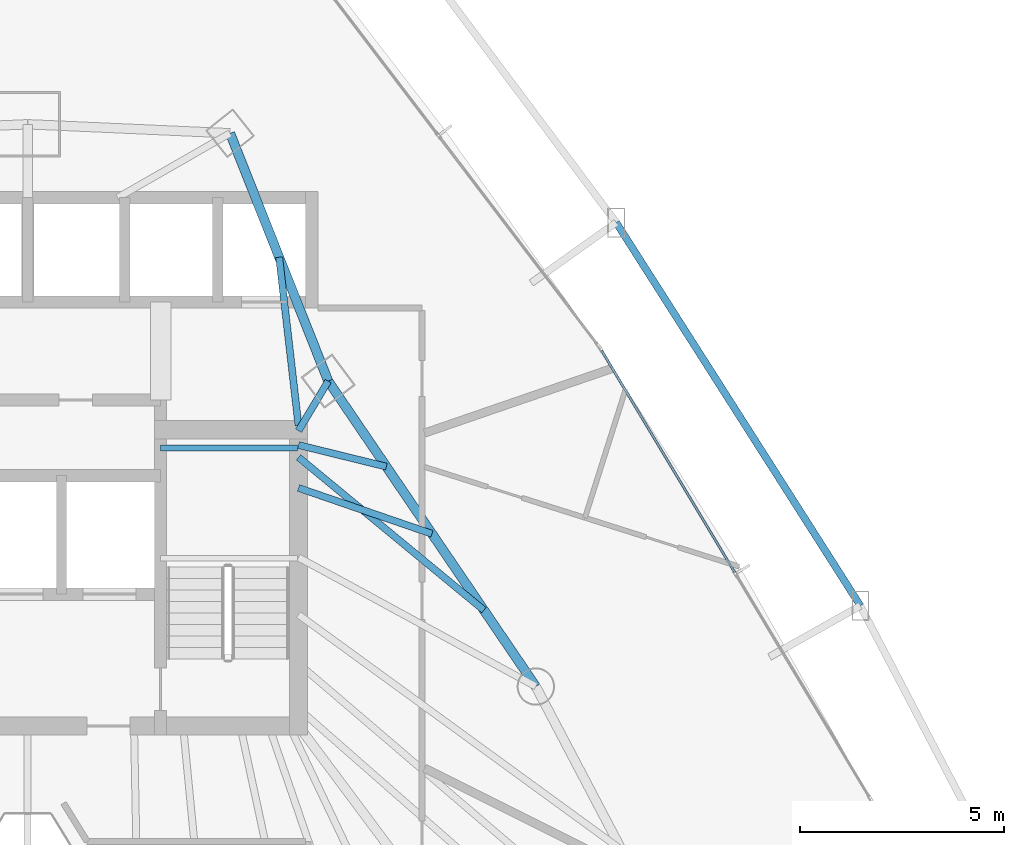
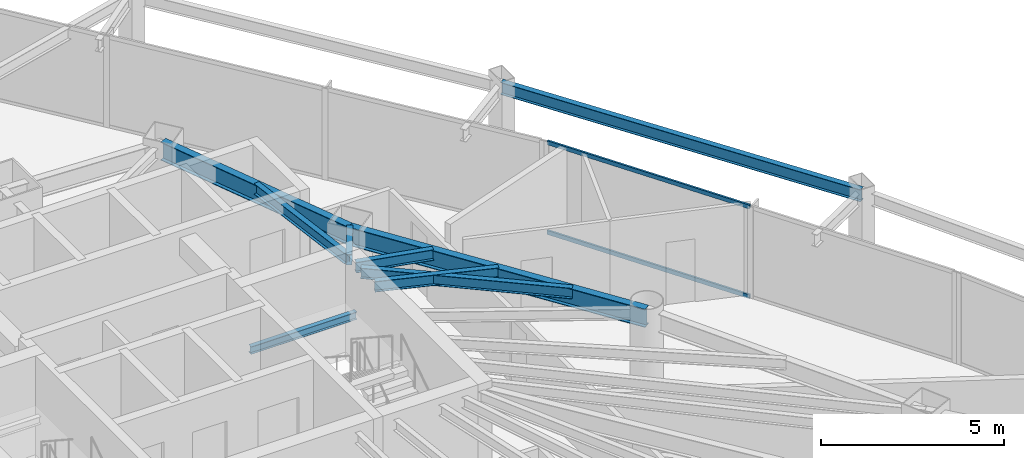
# One storey, part 26 of 35: 9 beams, 2 members, 1 element without a shape of its own.
"""IFC4 building model written with IfcOpenShell, lengths in metres."""

from ifc_helpers import new_model, si_unit, direction, frame, origin, origin_2d, place, context, subcontext, project, spatial, hollow_rectangle, i_section, extrude, material, layer, layer_set, material_profile, profile_set, type_object, element, aggregate, save


model = new_model("IFC4")

# Units and contexts
model_context = context("Model", 3, precision=1e-05, world=origin(), true_north=direction((0.0, 1.0)))
body_context = subcontext(model_context, "Body", "Model", "MODEL_VIEW")
ifc_project = project(units=[si_unit("LENGTHUNIT", "METRE"), si_unit("AREAUNIT", "SQUARE_METRE"), si_unit("VOLUMEUNIT", "CUBIC_METRE"), si_unit("PLANEANGLEUNIT", "RADIAN"), si_unit("MASSUNIT", "GRAM", prefix="KILO")], contexts=[model_context])

# Site, building, storey
site_placement = place(None, origin())
site = spatial("IfcSite", under=ifc_project, at=site_placement, CompositionType="ELEMENT")
building_placement = place(site_placement, origin())
building = spatial("IfcBuilding", under=site, at=building_placement, Name="Orvanel Arch Residences", CompositionType="ELEMENT")
storey_placement = place(building_placement, frame((0.0, 0.0, 33.5)))
storey = spatial("IfcBuildingStorey", under=building, at=storey_placement, Name="L08", CompositionType="ELEMENT", Elevation=33.5)

# Beams
ifc_material_1 = material(Name="Structural steel AS/NZS 3679.1 Grade 300 (300 MPa)", Category="steel")
ifc_material_profile_1 = material_profile(ifc_material_1, i_section(OverallWidth=0.14599609375, OverallDepth=0.251953125, WebThickness=0.006103515625, FlangeThickness=0.008544921875, at=origin_2d()), Name="250UB31.4")
ifc_profile_set_1 = profile_set([ifc_material_profile_1], Name="Structural steel AS/NZS 3679.1 Grade 300 (300 MPa)")
beam_type_1 = type_object("IfcBeamType", Name="BJ-250UB", PredefinedType="JOIST", material=ifc_profile_set_1)
beam_1_placement = place(storey_placement, frame((36.25, 33.47998046875, 1.323974609375), z_axis=(1.0, 0.0, 0.0), x_axis=(0.0, 1.0, 0.0)))
element("IfcBeam", 1, at=beam_1_placement, inside=storey, type_object=beam_type_1, Name="L08 ST-2 Half-Landing Support Beam 1.2", PredefinedType="JOIST", context=body_context, shape_type="SweptSolid", body=[
    extrude(i_section(OverallWidth=0.14599609375, OverallDepth=0.251953125, WebThickness=0.006103515625, FlangeThickness=0.008544921875, at=origin_2d()), origin(), (0.0, 0.0, 1.0), 3.35009765625),
])
ifc_material_profile_2 = material_profile(ifc_material_1, i_section(OverallWidth=0.1708984375, OverallDepth=0.35595703125, WebThickness=0.00732421875, FlangeThickness=0.011474609375, at=origin_2d()), Name="360UB50.7")
ifc_profile_set_2 = profile_set([ifc_material_profile_2], Name="Structural steel AS/NZS 3679.1 Grade 300 (300 MPa)")
beam_type_2 = type_object("IfcBeamType", Name="BJ-360UB", PredefinedType="JOIST", material=ifc_profile_set_2)
beam_2_placement = place(storey_placement, frame((39.625, 33.89990234375, 2.882080078125), z_axis=(0.514064138778, 0.857751748015, 0.0), x_axis=(-0.857751748015, 0.514064138778, 0.0)))
element("IfcBeam", 2, at=beam_2_placement, inside=storey, type_object=beam_type_2, Name="L08 NNE Wing Floor Joist", PredefinedType="JOIST", context=body_context, shape_type="SweptSolid", body=[
    extrude(i_section(OverallWidth=0.1708984375, OverallDepth=0.35595703125, WebThickness=0.00732421875, FlangeThickness=0.011474609375, at=origin_2d()), origin(), (0.0, 0.0, 1.0), 1.414306640625),
])
beam_3_placement = place(storey_placement, frame((39.625, 34.02001953125, 2.882080078125), z_axis=(-0.114186670431, 0.993459311847, 0.0), x_axis=(-0.993459311847, -0.114186670431, 0.0)))
element("IfcBeam", 3, at=beam_3_placement, inside=storey, type_object=beam_type_2, Name="L08 NNE2 Wing Floor Joist", PredefinedType="JOIST", context=body_context, shape_type="SweptSolid", body=[
    extrude(i_section(OverallWidth=0.1708984375, OverallDepth=0.35595703125, WebThickness=0.00732421875, FlangeThickness=0.011474609375, at=origin_2d()), origin(), (0.0, 0.0, 1.0), 4.152099609375),
])
beam_4_placement = place(storey_placement, frame((39.625, 32.5, 2.882080078125), z_axis=(0.945658073701, -0.325162740247, 0.0), x_axis=(0.325162740247, 0.945658073701, 0.0)))
element("IfcBeam", 4, at=beam_4_placement, inside=storey, type_object=beam_type_2, Name="L08 ENE Wing Floor Joist", PredefinedType="JOIST", context=body_context, shape_type="SweptSolid", body=[
    extrude(i_section(OverallWidth=0.1708984375, OverallDepth=0.35595703125, WebThickness=0.00732421875, FlangeThickness=0.011474609375, at=origin_2d()), origin(), (0.0, 0.0, 1.0), 3.453857421875),
])
beam_5_placement = place(storey_placement, frame((39.625, 33.25, 2.882080078125), z_axis=(0.771468562814, -0.636267441089, 0.0), x_axis=(0.636267441089, 0.771468562814, 0.0)))
element("IfcBeam", 5, at=beam_5_placement, inside=storey, type_object=beam_type_2, Name="L08 LE Wing Floor Joist", PredefinedType="JOIST", context=body_context, shape_type="SweptSolid", body=[
    extrude(i_section(OverallWidth=0.1708984375, OverallDepth=0.35595703125, WebThickness=0.00732421875, FlangeThickness=0.011474609375, at=origin_2d()), origin(), (0.0, 0.0, 1.0), 5.879638671875),
])
beam_6_placement = place(storey_placement, frame((39.625, 33.550048828125, 2.882080078125), z_axis=(0.971005818547, -0.239055851942, 0.0), x_axis=(0.239055851942, 0.971005818547, 0.0)))
element("IfcBeam", 6, at=beam_6_placement, inside=storey, type_object=beam_type_2, Name="L08 JADD4 Wing Floor Joist", PredefinedType="JOIST", context=body_context, shape_type="SweptSolid", body=[
    extrude(i_section(OverallWidth=0.1708984375, OverallDepth=0.35595703125, WebThickness=0.00732421875, FlangeThickness=0.011474609375, at=origin_2d()), origin(), (0.0, 0.0, 1.0), 2.213134765625),
])
ifc_material_profile_3 = material_profile(ifc_material_1, i_section(OverallWidth=0.177978515625, OverallDepth=0.406005859375, WebThickness=0.0078125, FlangeThickness=0.0126953125, at=origin_2d()), Name="410UB59.7")
ifc_profile_set_3 = profile_set([ifc_material_profile_3], Name="Structural steel AS/NZS 3679.1 Grade 300 (300 MPa)")
beam_type_3 = type_object("IfcBeamType", Name="OB-410UB-EXT", PredefinedType="SPANDREL", material=ifc_profile_set_3)
beam_7_placement = place(storey_placement, frame((53.37109375, 29.616943359375, 2.85693359375), z_axis=(-0.537298885152, 0.843391906538, 0.0), x_axis=(-0.843391906538, -0.537298885152, 0.0)))
element("IfcBeam", 7, at=beam_7_placement, inside=storey, type_object=beam_type_3, Name="L08 Outer Perimeter Floor Ring Beam 10", PredefinedType="SPANDREL", context=body_context, shape_type="SweptSolid", body=[
    extrude(i_section(OverallWidth=0.177978515625, OverallDepth=0.406005859375, WebThickness=0.0078125, FlangeThickness=0.0126953125, at=origin_2d()), origin(), (0.0, 0.0, 1.0), 11.116943359375),
])
ifc_material_profile_4 = material_profile(ifc_material_1, i_section(OverallWidth=0.22900390625, OverallDepth=0.612060546875, WebThickness=0.011962890625, FlangeThickness=0.01953125, at=origin_2d()), Name="610UB125")
ifc_profile_set_4 = profile_set([ifc_material_profile_4], Name="Structural steel AS/NZS 3679.1 Grade 300 (300 MPa)")
beam_type_4 = type_object("IfcBeamType", Name="SP-610UB", PredefinedType="SPANDREL", material=ifc_profile_set_4)
beam_8_placement = place(storey_placement, frame((45.430908203125, 27.64111328125, 2.75390625), z_axis=(-0.562154793153, 0.827032035978, 0.0), x_axis=(-0.827032035978, -0.562154793153, 0.0)))
element("IfcBeam", 8, at=beam_8_placement, inside=storey, type_object=beam_type_4, Name="L08 Perimeter Spandrel Beam 14", PredefinedType="SPANDREL", context=body_context, shape_type="SweptSolid", body=[
    extrude(i_section(OverallWidth=0.22900390625, OverallDepth=0.612060546875, WebThickness=0.011962890625, FlangeThickness=0.01953125, at=origin_2d()), origin(), (0.0, 0.0, 1.0), 9.03466796875),
])
beam_9_placement = place(storey_placement, frame((40.35205078125, 35.113037109375, 2.75390625), z_axis=(-0.368233143579, 0.929733484376, 0.0), x_axis=(-0.929733484376, -0.368233143579, 0.0)))
element("IfcBeam", 9, at=beam_9_placement, inside=storey, type_object=beam_type_4, Name="L08 Perimeter Spandrel Beam 15", PredefinedType="SPANDREL", context=body_context, shape_type="SweptSolid", body=[
    extrude(i_section(OverallWidth=0.22900390625, OverallDepth=0.612060546875, WebThickness=0.011962890625, FlangeThickness=0.01953125, at=origin_2d()), origin(), (0.0, 0.0, 1.0), 6.523193359375),
])

# Curtain wall, members
ifc_material_2 = material(Name="Bronze-anodised aluminium AA6063-T6", Category="aluminium")
ifc_layer = layer(ifc_material_2, 0.179931640625)
ifc_layer_set = layer_set([ifc_layer], Name="Bronze-anodised aluminium AA6063-T6")
curtain_wall_type = type_object("IfcCurtainWallType", Name="CW2-LOW-SYS", PredefinedType="NOTDEFINED", material=ifc_layer_set)
curtain_wall_placement = place(storey_placement, origin())
curtain_wall = element("IfcCurtainWall", 10, at=curtain_wall_placement, inside=storey, type_object=curtain_wall_type, Name="L08 CW2-LOW-SYS Unitised Curtain Wall", PredefinedType="NOTDEFINED")
ifc_material_profile_5 = material_profile(ifc_material_2, hollow_rectangle(XDim=0.06005859375, YDim=0.135009765625, WallThickness=0.00390625, at=origin_2d()), Name="ALU135x60x4")
ifc_profile_set_5 = profile_set([ifc_material_profile_5], Name="Bronze-anodised aluminium AA6063-T6")
member_type = type_object("IfcMemberType", Name="TRN-135x60", PredefinedType="USERDEFINED", material=ifc_profile_set_5)
member_1_placement = place(storey_placement, frame((50.29638671875, 30.43310546875, 0.030029296875), z_axis=(-0.514376760477, 0.857564311455, 0.0), x_axis=(-0.857564311455, -0.514376760477, 0.0)))
member_1 = element("IfcMember", 11, at=member_1_placement, type_object=member_type, Name="CW-S2 transom 2.1", ObjectType="TRANSOM", PredefinedType="USERDEFINED", context=body_context, shape_type="SweptSolid", body=[
    extrude(hollow_rectangle(XDim=0.06005859375, YDim=0.135009765625, WallThickness=0.00390625, at=origin_2d()), origin(), (0.0, 0.0, 1.0), 6.33642578125),
])
member_2_placement = place(storey_placement, frame((50.29638671875, 30.43310546875, 3.030029296875), z_axis=(-0.514376760477, 0.857564311455, 0.0), x_axis=(-0.857564311455, -0.514376760477, 0.0)))
member_2 = element("IfcMember", 12, at=member_2_placement, type_object=member_type, Name="CW-S2 transom 2.2", ObjectType="TRANSOM", PredefinedType="USERDEFINED", context=body_context, shape_type="SweptSolid", body=[
    extrude(hollow_rectangle(XDim=0.06005859375, YDim=0.135009765625, WallThickness=0.00390625, at=origin_2d()), origin(), (0.0, 0.0, 1.0), 6.33642578125),
])
aggregate(curtain_wall, [member_1, member_2])

save(model, "model.ifc")
